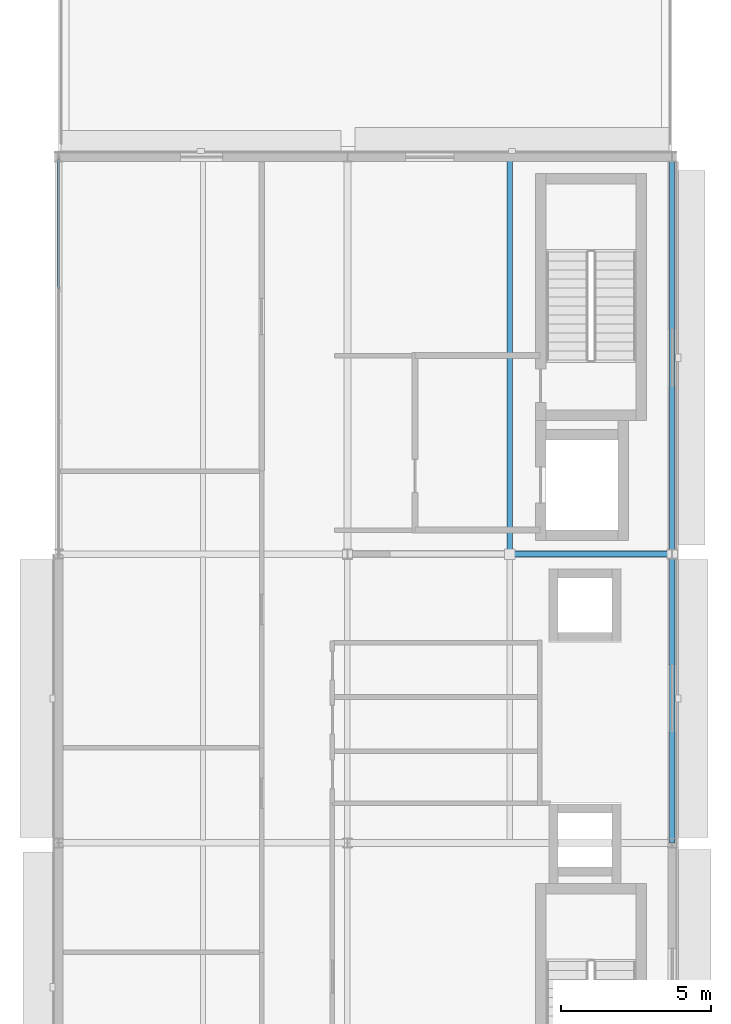
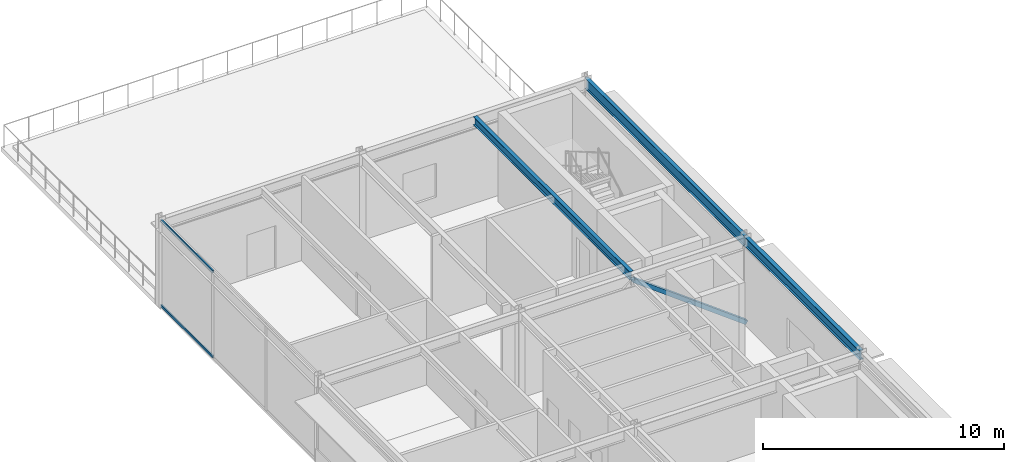
# One storey, part 11 of 18: 3 beams, 3 members, 1 element without a shape of its own.
"""IFC4 building model written with IfcOpenShell, lengths in metres."""

from ifc_helpers import new_model, si_unit, direction, frame, origin, origin_2d, place, context, subcontext, project, spatial, hollow_rectangle, i_section, extrude, material, material_profile, profile_set, type_object, element, aggregate, save


model = new_model("IFC4")

# Units and contexts
model_context = context("Model", 3, precision=1e-05, world=origin(), true_north=direction((0.0, 1.0)))
body_context = subcontext(model_context, "Body", "Model", "MODEL_VIEW")
ifc_project = project(units=[si_unit("LENGTHUNIT", "METRE"), si_unit("AREAUNIT", "SQUARE_METRE"), si_unit("VOLUMEUNIT", "CUBIC_METRE"), si_unit("PLANEANGLEUNIT", "RADIAN"), si_unit("MASSUNIT", "GRAM", prefix="KILO")], contexts=[model_context])

# Site, building, storey
site_placement = place(None, origin())
site = spatial("IfcSite", under=ifc_project, at=site_placement, CompositionType="ELEMENT")
building_placement = place(site_placement, origin())
building = spatial("IfcBuilding", under=site, at=building_placement, Name="Almandine Court Research Institute", CompositionType="ELEMENT")
storey_placement = place(building_placement, frame((0.0, 0.0, 37.10009765625)))
storey = spatial("IfcBuildingStorey", under=building, at=storey_placement, Name="L08", CompositionType="ELEMENT", Elevation=37.10009765625)

# Beams
ifc_material_1 = material(Name="Steel ASTM A992 Grade 50", Category="steel")
ifc_material_profile_1 = material_profile(ifc_material_1, i_section(OverallWidth=0.178955078125, OverallDepth=0.409912109375, WebThickness=0.009033203125, FlangeThickness=0.013916015625, at=origin_2d()), Name="W410x67")
ifc_profile_set_1 = profile_set([ifc_material_profile_1], Name="Steel ASTM A992 Grade 50")
beam_type_1 = type_object("IfcBeamType", Name="Beam-B-02", PredefinedType="JOIST", material=ifc_profile_set_1)
beam_1_placement = place(storey_placement, frame((168.60009765625, 44.512939453125, 4.179931640625), z_axis=(0.0, 1.0, 0.0), x_axis=(-1.0, 0.0, 0.0)))
element("IfcBeam", 1, at=beam_1_placement, inside=storey, type_object=beam_type_1, Name="L08 V4 Composite Secondary Beam", PredefinedType="JOIST", context=body_context, shape_type="SweptSolid", body=[
    extrude(i_section(OverallWidth=0.178955078125, OverallDepth=0.409912109375, WebThickness=0.009033203125, FlangeThickness=0.013916015625, at=origin_2d()), origin(), (0.0, 0.0, 1.0), 12.97412109375),
])
ifc_material_profile_2 = material_profile(ifc_material_1, i_section(OverallWidth=0.166015625, OverallDepth=0.534912109375, WebThickness=0.010009765625, FlangeThickness=0.01708984375, at=origin_2d()), Name="W530x85")
ifc_profile_set_2 = profile_set([ifc_material_profile_2], Name="Steel ASTM A992 Grade 50")
beam_type_2 = type_object("IfcBeamType", Name="Beam-G-05-E", PredefinedType="SPANDREL", material=ifc_profile_set_2)
beam_2_placement = place(storey_placement, frame((174.0, 44.39990234375, 4.117919921875), z_axis=(0.0, 1.0, 0.0), x_axis=(-1.0, 0.0, 0.0)))
element("IfcBeam", 2, at=beam_2_placement, inside=storey, type_object=beam_type_2, Name="L08 V4 Primary Y Girder", PredefinedType="SPANDREL", context=body_context, shape_type="SweptSolid", body=[
    extrude(i_section(OverallWidth=0.166015625, OverallDepth=0.534912109375, WebThickness=0.010009765625, FlangeThickness=0.01708984375, at=origin_2d()), origin(), (0.0, 0.0, 1.0), 13.2001953125),
])
ifc_material_profile_3 = material_profile(ifc_material_1, i_section(OverallWidth=0.193115234375, OverallDepth=0.466064453125, WebThickness=0.010986328125, FlangeThickness=0.01904296875, at=origin_2d()), Name="W460x97")
ifc_profile_set_3 = profile_set([ifc_material_profile_3], Name="Steel ASTM A992 Grade 50")
beam_type_3 = type_object("IfcBeamType", Name="Beam-G-06-E", PredefinedType="SPANDREL", material=ifc_profile_set_3)
beam_3_placement = place(storey_placement, frame((174.0, 34.800048828125, 4.15185546875), z_axis=(0.0, 1.0, 0.0), x_axis=(-1.0, 0.0, 0.0)))
element("IfcBeam", 3, at=beam_3_placement, inside=storey, type_object=beam_type_3, Name="L08 V4 Primary Y Girder", PredefinedType="SPANDREL", context=body_context, shape_type="SweptSolid", body=[
    extrude(i_section(OverallWidth=0.193115234375, OverallDepth=0.466064453125, WebThickness=0.010986328125, FlangeThickness=0.01904296875, at=origin_2d()), origin(), (0.0, 0.0, 1.0), 9.599853515625),
])

# Curtain wall, members
ifc_material_2 = material(Name="Unitised Curtain Wall Framing and Solar Glazing", Category="glass")
curtain_wall_type = type_object("IfcCurtainWallType", Name="CW-CWJ-15", PredefinedType="USERDEFINED", material=ifc_material_2)
curtain_wall_placement = place(storey_placement, origin())
curtain_wall = element("IfcCurtainWall", 4, at=curtain_wall_placement, inside=storey, type_object=curtain_wall_type, Name="L08 Wet Lab West Courtyard Jali Curtain Wall 5", ObjectType="SOLAR JALI SCREEN", PredefinedType="USERDEFINED")
ifc_material_3 = material(Name="Anodised Aluminium AW-6063-T6", Category="aluminium")
ifc_material_profile_4 = material_profile(ifc_material_3, hollow_rectangle(XDim=0.06494140625, YDim=0.1298828125, WallThickness=0.00390625, at=origin_2d()), Name="ALU RHS 65x130x4")
ifc_profile_set_4 = profile_set([ifc_material_profile_4], Name="Anodised Aluminium AW-6063-T6")
member_type_1 = type_object("IfcMemberType", Name="CWTrn-65x130", PredefinedType="NOTDEFINED", material=ifc_profile_set_4)
member_1_placement = place(storey_placement, frame((153.60009765625, 53.231201171875, 0.032470703125), z_axis=(0.0, 1.0, 0.0), x_axis=(-1.0, 0.0, 0.0)))
member_1 = element("IfcMember", 5, at=member_1_placement, type_object=member_type_1, Name="CWJ-15 transom 3.1", ObjectType="TRANSOM", PredefinedType="USERDEFINED", context=body_context, shape_type="SweptSolid", body=[
    extrude(hollow_rectangle(XDim=0.06494140625, YDim=0.1298828125, WallThickness=0.00390625, at=origin_2d()), origin(), (0.0, 0.0, 1.0), 4.2998046875),
])
member_2_placement = place(storey_placement, frame((153.60009765625, 53.231201171875, 4.33740234375), z_axis=(0.0, 1.0, 0.0), x_axis=(-1.0, 0.0, 0.0)))
member_2 = element("IfcMember", 6, at=member_2_placement, type_object=member_type_1, Name="CWJ-15 transom 3.2", ObjectType="TRANSOM", PredefinedType="USERDEFINED", context=body_context, shape_type="SweptSolid", body=[
    extrude(hollow_rectangle(XDim=0.06494140625, YDim=0.1298828125, WallThickness=0.00390625, at=origin_2d()), origin(), (0.0, 0.0, 1.0), 4.2998046875),
])
aggregate(curtain_wall, [member_1, member_2])

# Member
ifc_material_4 = material(Name="Steel ASTM A500 Grade C", Category="steel")
ifc_material_profile_5 = material_profile(ifc_material_4, hollow_rectangle(XDim=0.199951171875, YDim=0.199951171875, WallThickness=0.008056640625, at=origin_2d()), Name="HSS 200x200x8")
ifc_profile_set_5 = profile_set([ifc_material_profile_5], Name="Steel ASTM A500 Grade C")
member_type_2 = type_object("IfcMemberType", Name="Mem-BF-BR2", PredefinedType="BRACE", material=ifc_profile_set_5)
member_3_placement = place(storey_placement, frame((174.0, 44.39990234375, 0.02001953125), z_axis=(-0.801432594827, 0.0, 0.598085107614), x_axis=(0.0, -1.0, 0.0)))
element("IfcMember", 7, at=member_3_placement, inside=storey, type_object=member_type_2, Name="L08 Seismic Chevron Brace V4-BF2 Right", PredefinedType="BRACE", context=body_context, shape_type="SweptSolid", body=[
    extrude(hollow_rectangle(XDim=0.199951171875, YDim=0.199951171875, WallThickness=0.008056640625, at=origin_2d()), origin(), (0.0, 0.0, 1.0), 6.73779296875),
])

save(model, "model.ifc")
